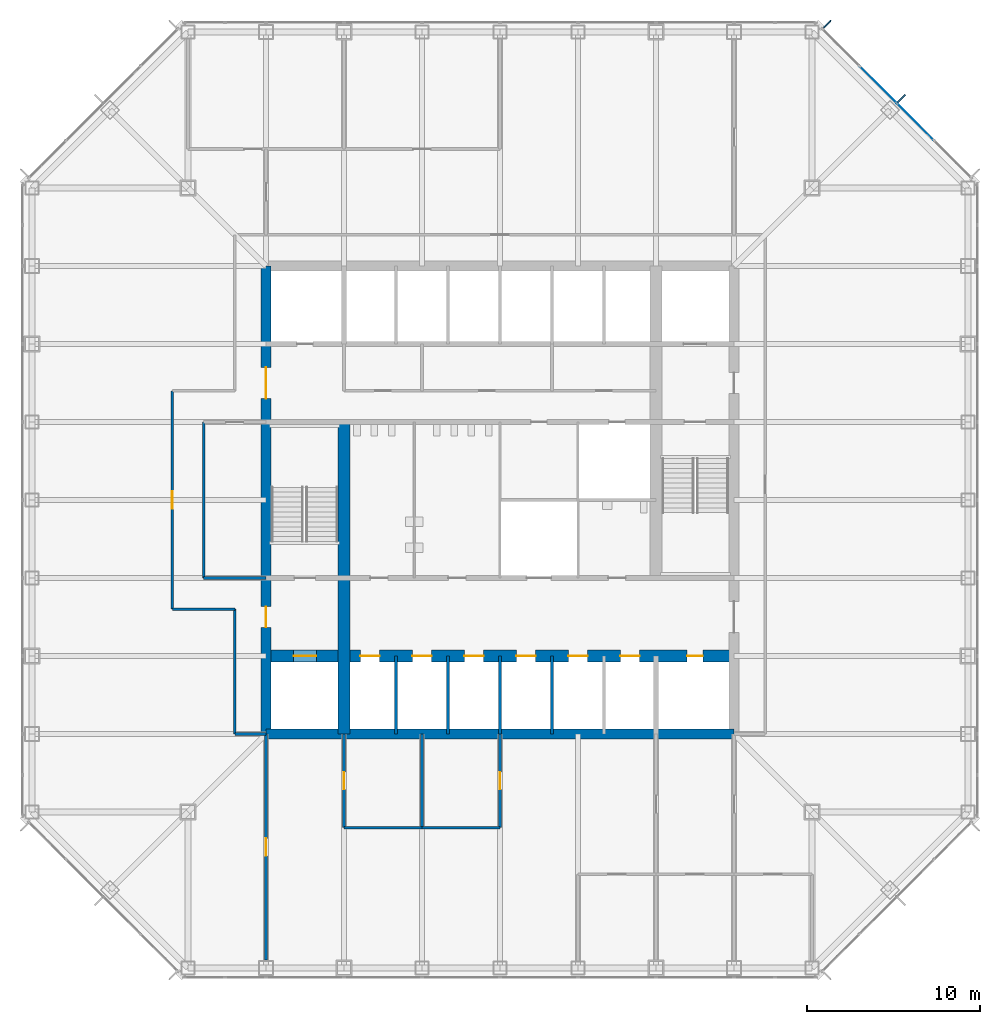
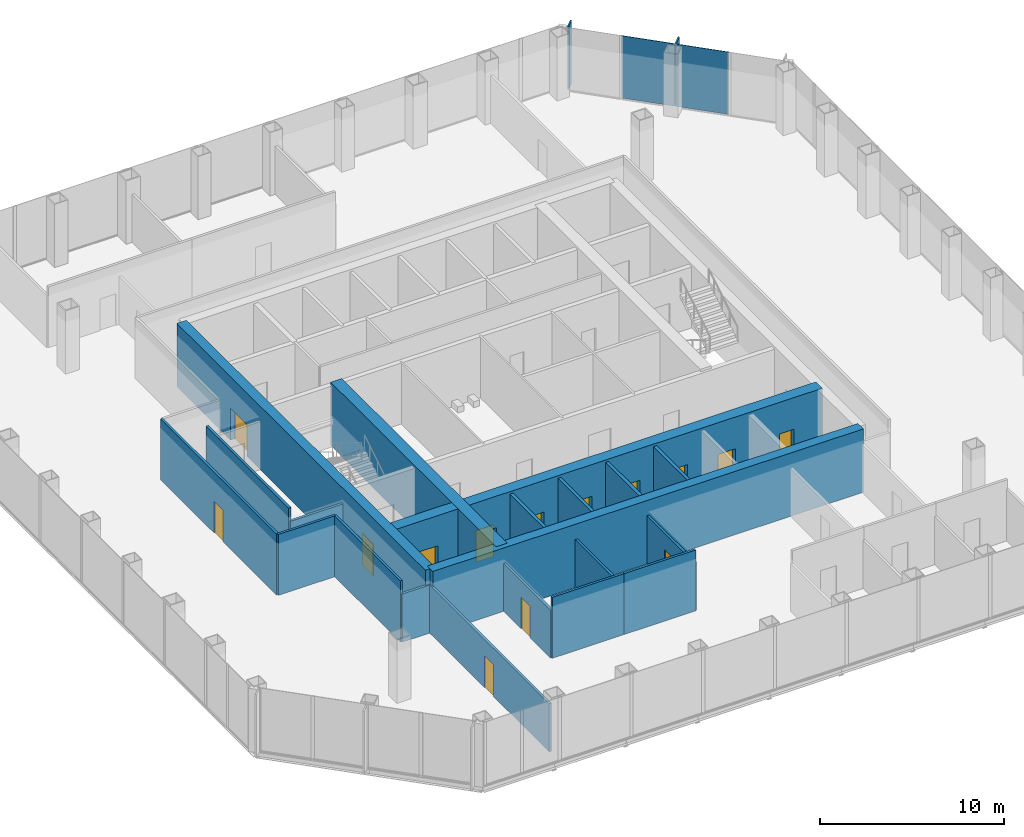
# One storey, part 8 of 12: 20 walls, 14 doors, 4 plates, 14 openings, 1 element without a shape of its own.
"""IFC4 building model written with IfcOpenShell, lengths in metres."""

from ifc_helpers import new_model, si_unit, direction, frame, frame_2d, origin, origin_2d, place, context, subcontext, project, spatial, rectangle, extrude, material, layer, layer_set, type_object, element, fill, aggregate, save


model = new_model("IFC4")

# Units and contexts
model_context = context("Model", 3, precision=1e-05, world=origin(), true_north=direction((0.0, 1.0)))
body_context = subcontext(model_context, "Body", "Model", "MODEL_VIEW")
ifc_project = project(units=[si_unit("LENGTHUNIT", "METRE"), si_unit("AREAUNIT", "SQUARE_METRE"), si_unit("VOLUMEUNIT", "CUBIC_METRE"), si_unit("PLANEANGLEUNIT", "RADIAN"), si_unit("MASSUNIT", "GRAM", prefix="KILO")], contexts=[model_context])

# Site, building, storey
site_placement = place(None, origin())
site = spatial("IfcSite", under=ifc_project, at=site_placement, CompositionType="ELEMENT")
building_placement = place(site_placement, origin())
building = spatial("IfcBuilding", under=site, at=building_placement, Name="Corais Broadcast Tower", CompositionType="ELEMENT")
storey_placement = place(building_placement, frame((0.0, 0.0, 45.800048828125)))
storey = spatial("IfcBuildingStorey", under=building, at=storey_placement, Name="L09", CompositionType="ELEMENT", Elevation=45.800048828125)

# Curtain wall, plates
ifc_material_1 = material(Name="Aluminium and glass", Category="aluminium")
curtain_wall_type = type_object("IfcCurtainWallType", Name="Unitised fritted curtain wall CW1", PredefinedType="NOTDEFINED", material=ifc_material_1)
curtain_wall_placement = place(storey_placement, origin())
curtain_wall = element("IfcCurtainWall", 1, at=curtain_wall_placement, inside=storey, type_object=curtain_wall_type, Name="CW1 curtain wall L09 5", PredefinedType="NOTDEFINED")
ifc_material_2 = material(Name="Ceramic-fritted laminated glass", Category="glass")
ifc_layer_1 = layer(ifc_material_2, 0.030029296875)
ifc_layer_set_1 = layer_set([ifc_layer_1], Name="Ceramic-fritted laminated glass")
plate_type_1 = type_object("IfcPlateType", Name="Fritted glass panel CW1", PredefinedType="CURTAIN_PANEL", material=ifc_layer_set_1)
plate_1_placement = place(storey_placement, frame((50.9658203125, 48.81201171875, 0.06494140625), z_axis=(0.0, 0.0, 1.0), x_axis=(0.707106781187, -0.707106781187, 0.0)))
plate_1 = element("IfcPlate", 2, at=plate_1_placement, type_object=plate_type_1, Name="CW1 panel 3", PredefinedType="CURTAIN_PANEL", context=body_context, shape_type="SweptSolid", body=[
    extrude(rectangle(XDim=2.98095703125, YDim=0.030029296875, at=origin_2d()), origin(), (0.0, 0.0, 1.0), 4.135009765625),
])
ifc_material_3 = material(Name="Clear laminated glass", Category="glass")
ifc_layer_2 = layer(ifc_material_3, 0.033935546875)
ifc_layer_set_2 = layer_set([ifc_layer_2], Name="Clear laminated glass")
plate_type_2 = type_object("IfcPlateType", Name="Operable glass panel CW1", PredefinedType="CURTAIN_PANEL", material=ifc_layer_set_2)
plate_2_placement = place(storey_placement, frame((48.81201171875, 50.9658203125, 0.06494140625), z_axis=(0.0, 0.0, 1.0), x_axis=(0.707106781187, -0.707106781187, 0.0)))
plate_2 = element("IfcPlate", 3, at=plate_2_placement, type_object=plate_type_2, Name="CW1 operable panel 2", PredefinedType="CURTAIN_PANEL", context=body_context, shape_type="SweptSolid", body=[
    extrude(rectangle(XDim=2.98095703125, YDim=0.033935546875, at=origin_2d()), origin(), (0.0, 0.0, 1.0), 4.135009765625),
])
aggregate(curtain_wall, [plate_2, plate_1])

# Plates
ifc_material_4 = material(Name="Granite stone cladding", Category="masonry")
ifc_layer_3 = layer(ifc_material_4, 0.080078125)
ifc_layer_set_3 = layer_set([ifc_layer_3], Name="Granite stone cladding")
plate_type_3 = type_object("IfcPlateType", Name="Stone screen fin 80x600", PredefinedType="USERDEFINED", material=ifc_layer_set_3)
for number, where, z_axis, x_axis, name in (
    (4, (45.885009765625, 54.4541015625, 0.0), (0.0, 0.0, 1.0), (0.707106781187, -0.707106781187, 0.0), "SF1 stone screen fin L09"),
    (5, (50.169677734375, 50.169677734375, 0.0), (0.0, 0.0, 1.0), (0.707106781187, -0.707106781187, 0.0), "SF1 stone screen fin L09"),
):
    element("IfcPlate", number, at=place(storey_placement, frame(where, z_axis=z_axis, x_axis=x_axis)), inside=storey, type_object=plate_type_3, Name=name, ObjectType="STONE SCREEN FIN", PredefinedType="USERDEFINED", context=body_context, shape_type="SweptSolid", body=[
        extrude(rectangle(XDim=0.080078125, YDim=0.60009765625, at=origin_2d()), origin(), (0.0, 0.0, 1.0), 4.199951171875),
    ])

# Wall
ifc_material_5 = material(Name="Concrete C50/60", Category="concrete")
ifc_layer_4 = layer(ifc_material_5, 0.699951171875)
ifc_layer_set_4 = layer_set([ifc_layer_4], Name="Concrete C50/60")
wall_type_1 = type_object("IfcWallType", Name="Core spine wall 700", PredefinedType="SHEAR", material=ifc_layer_set_4)
wall_1_placement = place(storey_placement, frame((18.0, 13.5, 0.0), z_axis=(0.0, 0.0, 1.0), x_axis=(0.0, 1.0, 0.0)))
element("IfcWall", 6, at=wall_1_placement, inside=storey, type_object=wall_type_1, Name="CR700 core wall X18A L09", PredefinedType="SHEAR", context=body_context, shape_type="SweptSolid", body=[
    extrude(rectangle(XDim=18.0, YDim=0.699951171875, at=frame_2d((9.0, 0.0))), origin(), (0.0, 0.0, 1.0), 4.199951171875),
])

# Wall, openings, doors
wall_2_placement = place(storey_placement, frame((13.5, 18.0, 0.0), z_axis=(0.0, 0.0, 1.0), x_axis=(1.0, 0.0, 0.0)))
wall_2 = element("IfcWall", 7, at=wall_2_placement, inside=storey, type_object=wall_type_1, Name="CR700 core wall Y18 L09", PredefinedType="SHEAR", context=body_context, shape_type="SweptSolid", body=[
    extrude(rectangle(XDim=27.0, YDim=0.699951171875, at=frame_2d((13.5, 0.0))), origin(), (0.0, 0.0, 1.0), 4.199951171875),
])
opening_1_placement = place(wall_2_placement, frame((24.300048828125, 0.0, 0.0)))
opening_1 = element("IfcOpeningElement", 8, at=opening_1_placement, cuts=wall_2, Name="Opening RD1", PredefinedType="OPENING", context=body_context, shape_type="SweptSolid", body=[
    extrude(rectangle(XDim=0.89990234375, YDim=2.10009765625, at=frame_2d((0.449951171875, 1.050048828125))), frame((0.0, 0.35986328125, 0.0), z_axis=(0.0, -1.0, 0.0), x_axis=(1.0, 0.0, 0.0)), (0.0, 0.0, 1.0), 0.719970703125),
])
opening_2_placement = place(wall_2_placement, frame((5.449951171875, 0.0, 0.0)))
opening_2 = element("IfcOpeningElement", 9, at=opening_2_placement, cuts=wall_2, Name="Opening LD1", PredefinedType="OPENING", context=body_context, shape_type="SweptSolid", body=[
    extrude(rectangle(XDim=1.10009765625, YDim=2.10009765625, at=frame_2d((0.550048828125, 1.050048828125))), frame((0.0, 0.35986328125, 0.0), z_axis=(0.0, -1.0, 0.0), x_axis=(1.0, 0.0, 0.0)), (0.0, 0.0, 1.0), 0.719970703125),
])
opening_3_placement = place(wall_2_placement, frame((8.449951171875, 0.0, 0.0)))
opening_3 = element("IfcOpeningElement", 10, at=opening_3_placement, cuts=wall_2, Name="Opening LD1", PredefinedType="OPENING", context=body_context, shape_type="SweptSolid", body=[
    extrude(rectangle(XDim=1.10009765625, YDim=2.10009765625, at=frame_2d((0.550048828125, 1.050048828125))), frame((0.0, 0.35986328125, 0.0), z_axis=(0.0, -1.0, 0.0), x_axis=(1.0, 0.0, 0.0)), (0.0, 0.0, 1.0), 0.719970703125),
])
opening_4_placement = place(wall_2_placement, frame((11.449951171875, 0.0, 0.0)))
opening_4 = element("IfcOpeningElement", 11, at=opening_4_placement, cuts=wall_2, Name="Opening LD1", PredefinedType="OPENING", context=body_context, shape_type="SweptSolid", body=[
    extrude(rectangle(XDim=1.10009765625, YDim=2.10009765625, at=frame_2d((0.550048828125, 1.050048828125))), frame((0.0, 0.35986328125, 0.0), z_axis=(0.0, -1.0, 0.0), x_axis=(1.0, 0.0, 0.0)), (0.0, 0.0, 1.0), 0.719970703125),
])
opening_5_placement = place(wall_2_placement, frame((14.449951171875, 0.0, 0.0)))
opening_5 = element("IfcOpeningElement", 12, at=opening_5_placement, cuts=wall_2, Name="Opening LD1", PredefinedType="OPENING", context=body_context, shape_type="SweptSolid", body=[
    extrude(rectangle(XDim=1.10009765625, YDim=2.10009765625, at=frame_2d((0.550048828125, 1.050048828125))), frame((0.0, 0.35986328125, 0.0), z_axis=(0.0, -1.0, 0.0), x_axis=(1.0, 0.0, 0.0)), (0.0, 0.0, 1.0), 0.719970703125),
])
opening_6_placement = place(wall_2_placement, frame((17.449951171875, 0.0, 0.0)))
opening_6 = element("IfcOpeningElement", 13, at=opening_6_placement, cuts=wall_2, Name="Opening LD1", PredefinedType="OPENING", context=body_context, shape_type="SweptSolid", body=[
    extrude(rectangle(XDim=1.10009765625, YDim=2.10009765625, at=frame_2d((0.550048828125, 1.050048828125))), frame((0.0, 0.35986328125, 0.0), z_axis=(0.0, -1.0, 0.0), x_axis=(1.0, 0.0, 0.0)), (0.0, 0.0, 1.0), 0.719970703125),
])
opening_7_placement = place(wall_2_placement, frame((20.449951171875, 0.0, 0.0)))
opening_7 = element("IfcOpeningElement", 14, at=opening_7_placement, cuts=wall_2, Name="Opening LD1", PredefinedType="OPENING", context=body_context, shape_type="SweptSolid", body=[
    extrude(rectangle(XDim=1.10009765625, YDim=2.10009765625, at=frame_2d((0.550048828125, 1.050048828125))), frame((0.0, 0.35986328125, 0.0), z_axis=(0.0, -1.0, 0.0), x_axis=(1.0, 0.0, 0.0)), (0.0, 0.0, 1.0), 0.719970703125),
])
opening_8_placement = place(wall_2_placement, frame((1.60009765625, 0.0, 0.0)))
opening_8 = element("IfcOpeningElement", 15, at=opening_8_placement, cuts=wall_2, Name="Opening LD2", PredefinedType="OPENING", context=body_context, shape_type="SweptSolid", body=[
    extrude(rectangle(XDim=1.300048828125, YDim=2.199951171875, at=frame_2d((0.64990234375, 1.10009765625))), frame((0.0, 0.35986328125, 0.0), z_axis=(0.0, -1.0, 0.0), x_axis=(1.0, 0.0, 0.0)), (0.0, 0.0, 1.0), 0.719970703125),
])
ifc_material_6 = material(Name="Stainless steel lift door", Category="steel")
door_type_1 = type_object("IfcDoorType", Name="Lift landing door 1100x2100", OperationType="SLIDING_TO_LEFT", PredefinedType="DOOR", material=ifc_material_6)
door_1_placement = place(opening_2_placement, origin())
door_1 = element("IfcDoor", 16, at=door_1_placement, inside=storey, type_object=door_type_1, Name="LD1 PL1 landing door L09", OperationType="SLIDING_TO_LEFT", OverallHeight=2.10009765625, OverallWidth=1.10009765625, PredefinedType="DOOR", context=body_context, shape_type="SweptSolid", body=[
    extrude(rectangle(XDim=1.10009765625, YDim=2.10009765625, at=frame_2d((0.550048828125, 1.050048828125))), frame((0.0, 0.02490234375, 0.0), z_axis=(0.0, -1.0, 0.0), x_axis=(1.0, 0.0, 0.0)), (0.0, 0.0, 1.0), 0.050048828125),
])
fill(opening_2, door_1)
door_2_placement = place(opening_3_placement, origin())
door_2 = element("IfcDoor", 17, at=door_2_placement, inside=storey, type_object=door_type_1, Name="LD1 PL2 landing door L09", OperationType="SLIDING_TO_LEFT", OverallHeight=2.10009765625, OverallWidth=1.10009765625, PredefinedType="DOOR", context=body_context, shape_type="SweptSolid", body=[
    extrude(rectangle(XDim=1.10009765625, YDim=2.10009765625, at=frame_2d((0.550048828125, 1.050048828125))), frame((0.0, 0.02490234375, 0.0), z_axis=(0.0, -1.0, 0.0), x_axis=(1.0, 0.0, 0.0)), (0.0, 0.0, 1.0), 0.050048828125),
])
fill(opening_3, door_2)
door_3_placement = place(opening_4_placement, origin())
door_3 = element("IfcDoor", 18, at=door_3_placement, inside=storey, type_object=door_type_1, Name="LD1 PL3 landing door L09", OperationType="SLIDING_TO_LEFT", OverallHeight=2.10009765625, OverallWidth=1.10009765625, PredefinedType="DOOR", context=body_context, shape_type="SweptSolid", body=[
    extrude(rectangle(XDim=1.10009765625, YDim=2.10009765625, at=frame_2d((0.550048828125, 1.050048828125))), frame((0.0, 0.02490234375, 0.0), z_axis=(0.0, -1.0, 0.0), x_axis=(1.0, 0.0, 0.0)), (0.0, 0.0, 1.0), 0.050048828125),
])
fill(opening_4, door_3)
door_4_placement = place(opening_5_placement, origin())
door_4 = element("IfcDoor", 19, at=door_4_placement, inside=storey, type_object=door_type_1, Name="LD1 PL4 landing door L09", OperationType="SLIDING_TO_LEFT", OverallHeight=2.10009765625, OverallWidth=1.10009765625, PredefinedType="DOOR", context=body_context, shape_type="SweptSolid", body=[
    extrude(rectangle(XDim=1.10009765625, YDim=2.10009765625, at=frame_2d((0.550048828125, 1.050048828125))), frame((0.0, 0.02490234375, 0.0), z_axis=(0.0, -1.0, 0.0), x_axis=(1.0, 0.0, 0.0)), (0.0, 0.0, 1.0), 0.050048828125),
])
fill(opening_5, door_4)
door_5_placement = place(opening_6_placement, origin())
door_5 = element("IfcDoor", 20, at=door_5_placement, inside=storey, type_object=door_type_1, Name="LD1 PL5 landing door L09", OperationType="SLIDING_TO_LEFT", OverallHeight=2.10009765625, OverallWidth=1.10009765625, PredefinedType="DOOR", context=body_context, shape_type="SweptSolid", body=[
    extrude(rectangle(XDim=1.10009765625, YDim=2.10009765625, at=frame_2d((0.550048828125, 1.050048828125))), frame((0.0, 0.02490234375, 0.0), z_axis=(0.0, -1.0, 0.0), x_axis=(1.0, 0.0, 0.0)), (0.0, 0.0, 1.0), 0.050048828125),
])
fill(opening_6, door_5)
door_6_placement = place(opening_7_placement, origin())
door_6 = element("IfcDoor", 21, at=door_6_placement, inside=storey, type_object=door_type_1, Name="LD1 PL6 landing door L09", OperationType="SLIDING_TO_LEFT", OverallHeight=2.10009765625, OverallWidth=1.10009765625, PredefinedType="DOOR", context=body_context, shape_type="SweptSolid", body=[
    extrude(rectangle(XDim=1.10009765625, YDim=2.10009765625, at=frame_2d((0.550048828125, 1.050048828125))), frame((0.0, 0.02490234375, 0.0), z_axis=(0.0, -1.0, 0.0), x_axis=(1.0, 0.0, 0.0)), (0.0, 0.0, 1.0), 0.050048828125),
])
fill(opening_7, door_6)
ifc_material_7 = material(Name="Stainless steel lift door", Category="steel")
door_type_2 = type_object("IfcDoorType", Name="Lift landing door 1300x2200", OperationType="SLIDING_TO_LEFT", PredefinedType="DOOR", material=ifc_material_7)
door_7_placement = place(opening_8_placement, origin())
door_7 = element("IfcDoor", 22, at=door_7_placement, inside=storey, type_object=door_type_2, Name="LD2 FL1 landing door L09", OperationType="SLIDING_TO_LEFT", OverallHeight=2.199951171875, OverallWidth=1.300048828125, PredefinedType="DOOR", context=body_context, shape_type="SweptSolid", body=[
    extrude(rectangle(XDim=1.300048828125, YDim=2.199951171875, at=frame_2d((0.64990234375, 1.10009765625))), frame((0.0, 0.02490234375, 0.0), z_axis=(0.0, -1.0, 0.0), x_axis=(1.0, 0.0, 0.0)), (0.0, 0.0, 1.0), 0.050048828125),
])
fill(opening_8, door_7)
ifc_material_8 = material(Name="Steel fire door", Category="steel")
door_type_3 = type_object("IfcDoorType", Name="Riser door 900x2100", OperationType="SINGLE_SWING_LEFT", PredefinedType="DOOR", material=ifc_material_8)
door_8_placement = place(opening_1_placement, origin())
door_8 = element("IfcDoor", 23, at=door_8_placement, inside=storey, type_object=door_type_3, Name="RD1 riser door L09", OperationType="SINGLE_SWING_RIGHT", OverallHeight=2.10009765625, OverallWidth=0.89990234375, PredefinedType="DOOR", context=body_context, shape_type="SweptSolid", body=[
    extrude(rectangle(XDim=0.89990234375, YDim=2.10009765625, at=frame_2d((0.449951171875, 1.050048828125))), frame((0.0, 0.02490234375, 0.0), z_axis=(0.0, -1.0, 0.0), x_axis=(1.0, 0.0, 0.0)), (0.0, 0.0, 1.0), 0.050048828125),
])
fill(opening_1, door_8)

# Wall
ifc_material_9 = material(Name="Concrete C50/60", Category="concrete")
ifc_layer_5 = layer(ifc_material_9, 0.60009765625)
ifc_layer_set_5 = layer_set([ifc_layer_5], Name="Concrete C50/60")
wall_type_2 = type_object("IfcWallType", Name="Core wall 600", PredefinedType="SHEAR", material=ifc_layer_set_5)
wall_3_placement = place(storey_placement, frame((13.5, 13.5, 0.0), z_axis=(0.0, 0.0, 1.0), x_axis=(1.0, 0.0, 0.0)))
element("IfcWall", 24, at=wall_3_placement, inside=storey, type_object=wall_type_2, Name="CR600 core wall S L09", PredefinedType="SHEAR", context=body_context, shape_type="SweptSolid", body=[
    extrude(rectangle(XDim=27.0, YDim=0.60009765625, at=frame_2d((13.5, 0.0))), origin(), (0.0, 0.0, 1.0), 4.199951171875),
])

# Wall, openings, doors
wall_4_placement = place(storey_placement, frame((13.5, 40.5, 0.0), z_axis=(0.0, 0.0, 1.0), x_axis=(0.0, -1.0, 0.0)))
wall_4 = element("IfcWall", 25, at=wall_4_placement, inside=storey, type_object=wall_type_2, Name="CR600 core wall W L09", PredefinedType="SHEAR", context=body_context, shape_type="SweptSolid", body=[
    extrude(rectangle(XDim=27.0, YDim=0.60009765625, at=frame_2d((13.5, 0.0))), origin(), (0.0, 0.0, 1.0), 4.199951171875),
])
opening_9_placement = place(wall_4_placement, frame((19.64990234375, 0.0, 0.0)))
opening_9 = element("IfcOpeningElement", 26, at=opening_9_placement, cuts=wall_4, Name="Opening FD1", PredefinedType="OPENING", context=body_context, shape_type="SweptSolid", body=[
    extrude(rectangle(XDim=1.199951171875, YDim=2.10009765625, at=frame_2d((0.60009765625, 1.050048828125))), frame((0.0, 0.31005859375, 0.0), z_axis=(0.0, -1.0, 0.0), x_axis=(1.0, 0.0, 0.0)), (0.0, 0.0, 1.0), 0.6201171875),
])
opening_10_placement = place(wall_4_placement, frame((5.85009765625, 0.0, 0.0)))
opening_10 = element("IfcOpeningElement", 27, at=opening_10_placement, cuts=wall_4, Name="Opening FD2", PredefinedType="OPENING", context=body_context, shape_type="SweptSolid", body=[
    extrude(rectangle(XDim=1.800048828125, YDim=2.10009765625, at=frame_2d((0.89990234375, 1.050048828125))), frame((0.0, 0.31005859375, 0.0), z_axis=(0.0, -1.0, 0.0), x_axis=(1.0, 0.0, 0.0)), (0.0, 0.0, 1.0), 0.6201171875),
])
ifc_material_10 = material(Name="Steel fire door", Category="steel")
door_type_4 = type_object("IfcDoorType", Name="Fire door 1200x2100", OperationType="SINGLE_SWING_LEFT", PredefinedType="DOOR", material=ifc_material_10)
door_9_placement = place(opening_9_placement, origin())
door_9 = element("IfcDoor", 28, at=door_9_placement, inside=storey, type_object=door_type_4, Name="FD1 fire lobby A door L09", OperationType="SINGLE_SWING_RIGHT", OverallHeight=2.10009765625, OverallWidth=1.199951171875, PredefinedType="DOOR", context=body_context, shape_type="SweptSolid", body=[
    extrude(rectangle(XDim=1.199951171875, YDim=2.10009765625, at=frame_2d((0.60009765625, 1.050048828125))), frame((0.0, 0.02490234375, 0.0), z_axis=(0.0, -1.0, 0.0), x_axis=(1.0, 0.0, 0.0)), (0.0, 0.0, 1.0), 0.050048828125),
])
fill(opening_9, door_9)
ifc_material_11 = material(Name="Steel fire door", Category="steel")
door_type_5 = type_object("IfcDoorType", Name="Fire door pair 1800x2100", OperationType="DOUBLE_DOOR_SINGLE_SWING", PredefinedType="DOOR", material=ifc_material_11)
door_10_placement = place(opening_10_placement, origin())
door_10 = element("IfcDoor", 29, at=door_10_placement, inside=storey, type_object=door_type_5, Name="FD2 lift lobby door L09", OperationType="SINGLE_SWING_LEFT", OverallHeight=2.10009765625, OverallWidth=1.800048828125, PredefinedType="DOOR", context=body_context, shape_type="SweptSolid", body=[
    extrude(rectangle(XDim=1.800048828125, YDim=2.10009765625, at=frame_2d((0.89990234375, 1.050048828125))), frame((0.0, 0.02490234375, 0.0), z_axis=(0.0, -1.0, 0.0), x_axis=(1.0, 0.0, 0.0)), (0.0, 0.0, 1.0), 0.050048828125),
])
fill(opening_10, door_10)

# Wall, opening, door
ifc_material_12 = material(Name="Gypsum board on steel studs", Category="steel")
ifc_layer_6 = layer(ifc_material_12, 0.14990234375)
ifc_layer_set_6 = layer_set([ifc_layer_6], Name="Gypsum board on steel studs")
wall_type_3 = type_object("IfcWallType", Name="Partition 150", PredefinedType="PARTITIONING", material=ifc_layer_set_6)
wall_5_placement = place(storey_placement, frame((8.10009765625, 33.300048828125, 0.0), z_axis=(0.0, 0.0, 1.0), x_axis=(0.0, -1.0, 0.0)))
wall_5 = element("IfcWall", 30, at=wall_5_placement, inside=storey, type_object=wall_type_3, Name="IW3 corridor wall L09", PredefinedType="PARTITIONING", context=body_context, shape_type="SweptSolid", body=[
    extrude(rectangle(XDim=12.60009765625, YDim=0.14990234375, at=frame_2d((6.300048828125, 0.0))), origin(), (0.0, 0.0, 1.0), 4.0400390625),
])
opening_11_placement = place(wall_5_placement, frame((5.800048828125, 0.0, 0.0)))
opening_11 = element("IfcOpeningElement", 31, at=opening_11_placement, cuts=wall_5, Name="Opening D1", PredefinedType="OPENING", context=body_context, shape_type="SweptSolid", body=[
    extrude(rectangle(XDim=1.0, YDim=2.10009765625, at=frame_2d((0.5, 1.050048828125))), frame((0.0, 0.0849609375, 0.0), z_axis=(0.0, -1.0, 0.0), x_axis=(1.0, 0.0, 0.0)), (0.0, 0.0, 1.0), 0.169921875),
])
ifc_material_13 = material(Name="Timber door", Category="wood")
door_type_6 = type_object("IfcDoorType", Name="Single door 1000x2100", OperationType="SINGLE_SWING_LEFT", PredefinedType="DOOR", material=ifc_material_13)
door_11_placement = place(opening_11_placement, origin())
door_11 = element("IfcDoor", 32, at=door_11_placement, inside=storey, type_object=door_type_6, Name="D1 workplace door L09", OperationType="SINGLE_SWING_LEFT", OverallHeight=2.10009765625, OverallWidth=1.0, PredefinedType="DOOR", context=body_context, shape_type="SweptSolid", body=[
    extrude(rectangle(XDim=1.0, YDim=2.10009765625, at=frame_2d((0.5, 1.050048828125))), frame((0.0, 0.02490234375, 0.0), z_axis=(0.0, -1.0, 0.0), x_axis=(1.0, 0.0, 0.0)), (0.0, 0.0, 1.0), 0.050048828125),
])
fill(opening_11, door_11)

# Walls
wall_6_placement = place(storey_placement, frame((11.699951171875, 20.699951171875, 0.0), z_axis=(0.0, 0.0, 1.0), x_axis=(0.0, -1.0, 0.0)))
element("IfcWall", 33, at=wall_6_placement, inside=storey, type_object=wall_type_3, Name="IW3 corridor wall L09", PredefinedType="PARTITIONING", context=body_context, shape_type="SweptSolid", body=[
    extrude(rectangle(XDim=7.199951171875, YDim=0.14990234375, at=frame_2d((3.60009765625, 0.0))), origin(), (0.0, 0.0, 1.0), 4.0400390625),
])
wall_7_placement = place(storey_placement, frame((8.10009765625, 20.699951171875, 0.0), z_axis=(0.0, 0.0, 1.0), x_axis=(1.0, 0.0, 0.0)))
element("IfcWall", 34, at=wall_7_placement, inside=storey, type_object=wall_type_3, Name="IW3 corridor wall L09", PredefinedType="PARTITIONING", context=body_context, shape_type="SweptSolid", body=[
    extrude(rectangle(XDim=3.599853515625, YDim=0.14990234375, at=frame_2d((1.7998046875, 0.0))), origin(), (0.0, 0.0, 1.0), 4.0400390625),
])
wall_8_placement = place(storey_placement, frame((11.699951171875, 13.5, 0.0), z_axis=(0.0, 0.0, 1.0), x_axis=(1.0, 0.0, 0.0)))
element("IfcWall", 35, at=wall_8_placement, inside=storey, type_object=wall_type_3, Name="IW3 corridor wall L09", PredefinedType="PARTITIONING", context=body_context, shape_type="SweptSolid", body=[
    extrude(rectangle(XDim=1.81005859375, YDim=0.14990234375, at=frame_2d((0.905029296875, 0.0))), origin(), (0.0, 0.0, 1.0), 3.18896484375),
])
wall_9_placement = place(storey_placement, frame((18.0, 8.10009765625, 0.0), z_axis=(0.0, 0.0, 1.0), x_axis=(1.0, 0.0, 0.0)))
element("IfcWall", 36, at=wall_9_placement, inside=storey, type_object=wall_type_3, Name="IW3 partition L09", PredefinedType="PARTITIONING", context=body_context, shape_type="SweptSolid", body=[
    extrude(rectangle(XDim=4.5, YDim=0.14990234375, at=frame_2d((2.25, 0.0))), origin(), (0.0, 0.0, 1.0), 4.0400390625),
])
wall_10_placement = place(storey_placement, frame((22.5, 8.10009765625, 0.0), z_axis=(0.0, 0.0, 1.0), x_axis=(0.0, 1.0, 0.0)))
element("IfcWall", 37, at=wall_10_placement, inside=storey, type_object=wall_type_3, Name="IW3 partition L09", PredefinedType="PARTITIONING", context=body_context, shape_type="SweptSolid", body=[
    extrude(rectangle(XDim=5.39990234375, YDim=0.14990234375, at=frame_2d((2.699951171875, 0.0))), origin(), (0.0, 0.0, 1.0), 3.18896484375),
])

# Wall, opening, door
wall_11_placement = place(storey_placement, frame((18.0, 13.5, 0.0), z_axis=(0.0, 0.0, 1.0), x_axis=(0.0, -1.0, 0.0)))
wall_11 = element("IfcWall", 38, at=wall_11_placement, inside=storey, type_object=wall_type_3, Name="IW3 partition L09", PredefinedType="PARTITIONING", context=body_context, shape_type="SweptSolid", body=[
    extrude(rectangle(XDim=5.39990234375, YDim=0.14990234375, at=frame_2d((2.699951171875, 0.0))), origin(), (0.0, 0.0, 1.0), 3.18896484375),
])
opening_12_placement = place(wall_11_placement, frame((2.199951171875, 0.0, 0.0)))
opening_12 = element("IfcOpeningElement", 39, at=opening_12_placement, cuts=wall_11, Name="Opening D1", PredefinedType="OPENING", context=body_context, shape_type="SweptSolid", body=[
    extrude(rectangle(XDim=1.0, YDim=2.10009765625, at=frame_2d((0.5, 1.050048828125))), frame((0.0, 0.0849609375, 0.0), z_axis=(0.0, -1.0, 0.0), x_axis=(1.0, 0.0, 0.0)), (0.0, 0.0, 1.0), 0.169921875),
])
door_12_placement = place(opening_12_placement, origin())
door_12 = element("IfcDoor", 40, at=door_12_placement, inside=storey, type_object=door_type_6, Name="D1 Meeting room door", OperationType="SINGLE_SWING_LEFT", OverallHeight=2.10009765625, OverallWidth=1.0, PredefinedType="DOOR", context=body_context, shape_type="SweptSolid", body=[
    extrude(rectangle(XDim=1.0, YDim=2.10009765625, at=frame_2d((0.5, 1.050048828125))), frame((0.0, 0.02490234375, 0.0), z_axis=(0.0, -1.0, 0.0), x_axis=(1.0, 0.0, 0.0)), (0.0, 0.0, 1.0), 0.050048828125),
])
fill(opening_12, door_12)

# Wall
wall_12_placement = place(storey_placement, frame((22.5, 8.10009765625, 0.0), z_axis=(0.0, 0.0, 1.0), x_axis=(1.0, 0.0, 0.0)))
element("IfcWall", 41, at=wall_12_placement, inside=storey, type_object=wall_type_3, Name="IW3 partition L09", PredefinedType="PARTITIONING", context=body_context, shape_type="SweptSolid", body=[
    extrude(rectangle(XDim=4.5, YDim=0.14990234375, at=frame_2d((2.25, 0.0))), origin(), (0.0, 0.0, 1.0), 4.0400390625),
])

# Wall, opening, door
wall_13_placement = place(storey_placement, frame((27.0, 8.10009765625, 0.0), z_axis=(0.0, 0.0, 1.0), x_axis=(0.0, 1.0, 0.0)))
wall_13 = element("IfcWall", 42, at=wall_13_placement, inside=storey, type_object=wall_type_3, Name="IW3 partition L09", PredefinedType="PARTITIONING", context=body_context, shape_type="SweptSolid", body=[
    extrude(rectangle(XDim=5.39990234375, YDim=0.14990234375, at=frame_2d((2.699951171875, 0.0))), origin(), (0.0, 0.0, 1.0), 3.18896484375),
])
opening_13_placement = place(wall_13_placement, frame((2.199951171875, 0.0, 0.0)))
opening_13 = element("IfcOpeningElement", 43, at=opening_13_placement, cuts=wall_13, Name="Opening D1", PredefinedType="OPENING", context=body_context, shape_type="SweptSolid", body=[
    extrude(rectangle(XDim=1.0, YDim=2.10009765625, at=frame_2d((0.5, 1.050048828125))), frame((0.0, 0.0849609375, 0.0), z_axis=(0.0, -1.0, 0.0), x_axis=(1.0, 0.0, 0.0)), (0.0, 0.0, 1.0), 0.169921875),
])
door_13_placement = place(opening_13_placement, origin())
door_13 = element("IfcDoor", 44, at=door_13_placement, inside=storey, type_object=door_type_6, Name="D1 Meeting room door", OperationType="SINGLE_SWING_LEFT", OverallHeight=2.10009765625, OverallWidth=1.0, PredefinedType="DOOR", context=body_context, shape_type="SweptSolid", body=[
    extrude(rectangle(XDim=1.0, YDim=2.10009765625, at=frame_2d((0.5, 1.050048828125))), frame((0.0, 0.02490234375, 0.0), z_axis=(0.0, -1.0, 0.0), x_axis=(1.0, 0.0, 0.0)), (0.0, 0.0, 1.0), 0.050048828125),
])
fill(opening_13, door_13)

# Walls
wall_14_placement = place(storey_placement, frame((9.89990234375, 22.5, 0.0), z_axis=(0.0, 0.0, 1.0), x_axis=(1.0, 0.0, 0.0)))
element("IfcWall", 45, at=wall_14_placement, inside=storey, type_object=wall_type_3, Name="IW3 partition L09", PredefinedType="PARTITIONING", context=body_context, shape_type="SweptSolid", body=[
    extrude(rectangle(XDim=3.60009765625, YDim=0.14990234375, at=frame_2d((1.800048828125, 0.0))), origin(), (0.0, 0.0, 1.0), 3.18896484375),
])
wall_15_placement = place(storey_placement, frame((9.89990234375, 31.5, 0.0), z_axis=(0.0, 0.0, 1.0), x_axis=(0.0, -1.0, 0.0)))
element("IfcWall", 46, at=wall_15_placement, inside=storey, type_object=wall_type_3, Name="IW3 partition L09", PredefinedType="PARTITIONING", context=body_context, shape_type="SweptSolid", body=[
    extrude(rectangle(XDim=9.0, YDim=0.14990234375, at=frame_2d((4.5, 0.0))), origin(), (0.0, 0.0, 1.0), 4.0400390625),
])

# Wall, opening, door
wall_16_placement = place(storey_placement, frame((13.5, 0.445068359375, 0.0), z_axis=(0.0, 0.0, 1.0), x_axis=(0.0, 1.0, 0.0)))
wall_16 = element("IfcWall", 47, at=wall_16_placement, inside=storey, type_object=wall_type_3, Name="IW3 partition L09", PredefinedType="PARTITIONING", context=body_context, shape_type="SweptSolid", body=[
    extrude(rectangle(XDim=13.054931640625, YDim=0.14990234375, at=frame_2d((6.52734375, 0.0))), origin(), (0.0, 0.0, 1.0), 3.18896484375),
])
opening_14_placement = place(wall_16_placement, frame((6.027587890625, 0.0, 0.0)))
opening_14 = element("IfcOpeningElement", 48, at=opening_14_placement, cuts=wall_16, Name="Opening D1", PredefinedType="OPENING", context=body_context, shape_type="SweptSolid", body=[
    extrude(rectangle(XDim=1.0, YDim=2.10009765625, at=frame_2d((0.5, 1.050048828125))), frame((0.0, 0.0849609375, 0.0), z_axis=(0.0, -1.0, 0.0), x_axis=(1.0, 0.0, 0.0)), (0.0, 0.0, 1.0), 0.169921875),
])
door_14_placement = place(opening_14_placement, origin())
door_14 = element("IfcDoor", 49, at=door_14_placement, inside=storey, type_object=door_type_6, Name="D1 team room door L09", OperationType="SINGLE_SWING_LEFT", OverallHeight=2.10009765625, OverallWidth=1.0, PredefinedType="DOOR", context=body_context, shape_type="SweptSolid", body=[
    extrude(rectangle(XDim=1.0, YDim=2.10009765625, at=frame_2d((0.5, 1.050048828125))), frame((0.0, 0.02490234375, 0.0), z_axis=(0.0, -1.0, 0.0), x_axis=(1.0, 0.0, 0.0)), (0.0, 0.0, 1.0), 0.050048828125),
])
fill(opening_14, door_14)

# Walls
ifc_material_14 = material(Name="Concrete blockwork class A, grouted, two-hour", Category="masonry")
ifc_layer_7 = layer(ifc_material_14, 0.199951171875)
ifc_layer_set_7 = layer_set([ifc_layer_7], Name="Concrete blockwork class A, grouted, two-hour")
wall_type_4 = type_object("IfcWallType", Name="Shaft wall 200", PredefinedType="PARTITIONING", material=ifc_layer_set_7)
for number, where, z_axis, x_axis, name in (
    (50, (21.0, 13.5, 0.0), (0.0, 0.0, 1.0), (0.0, 1.0, 0.0), "IW1 shaft wall L09"),
    (51, (24.0, 13.5, 0.0), (0.0, 0.0, 1.0), (0.0, 1.0, 0.0), "IW1 shaft wall L09"),
    (52, (27.0, 13.5, 0.0), (0.0, 0.0, 1.0), (0.0, 1.0, 0.0), "IW1 shaft wall L09"),
    (53, (30.0, 13.5, 0.0), (0.0, 0.0, 1.0), (0.0, 1.0, 0.0), "IW1 shaft wall L09"),
):
    element("IfcWall", number, at=place(storey_placement, frame(where, z_axis=z_axis, x_axis=x_axis)), inside=storey, type_object=wall_type_4, Name=name, PredefinedType="PARTITIONING", context=body_context, shape_type="SweptSolid", body=[
        extrude(rectangle(XDim=4.5, YDim=0.199951171875, at=frame_2d((2.25, 0.0))), origin(), (0.0, 0.0, 1.0), 4.0400390625),
    ])

save(model, "model.ifc")
